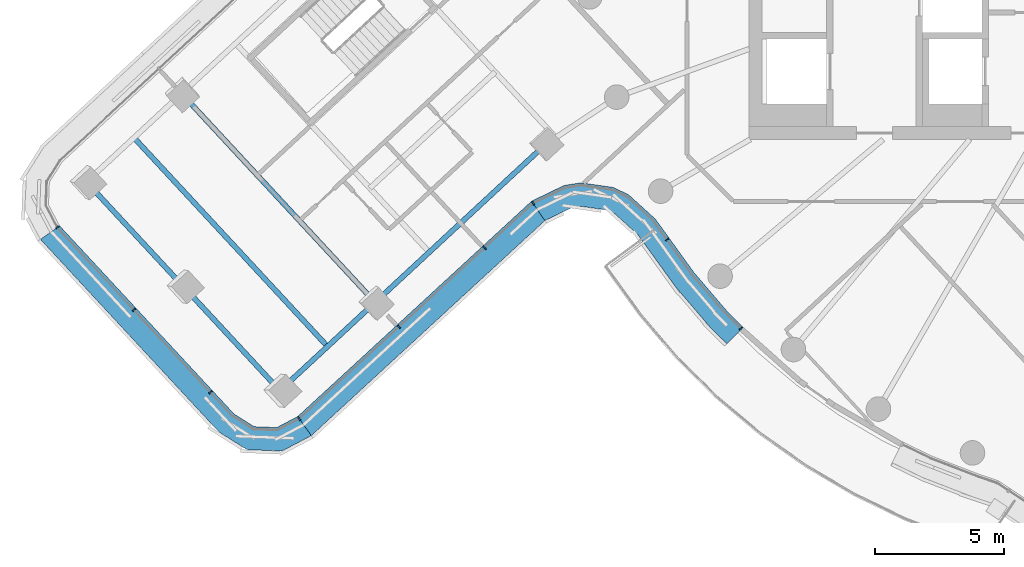
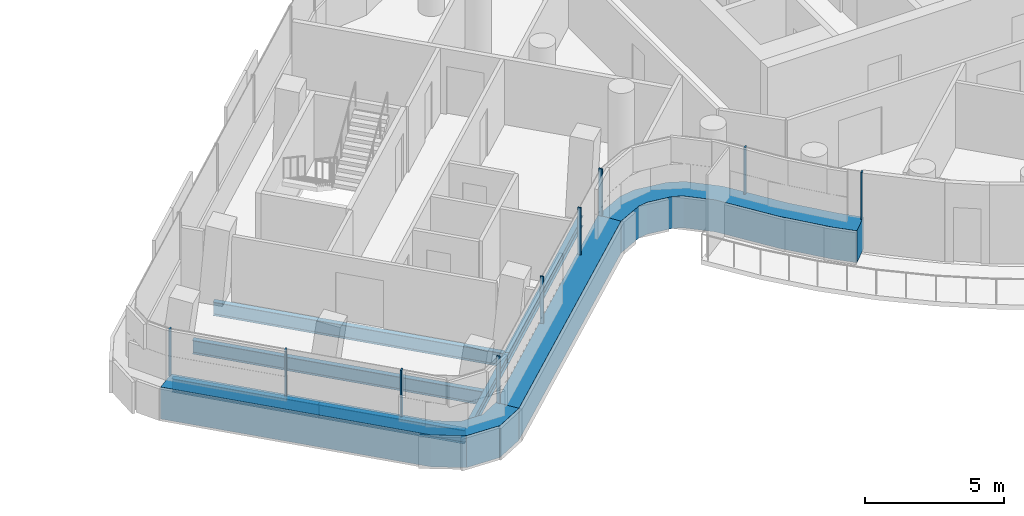
# One storey, part 3 of 34: 12 members, 6 beams, 3 elements without a shape of their own.
"""IFC4 building model written with IfcOpenShell, lengths in metres."""

from ifc_helpers import new_model, si_unit, direction, frame, origin, origin_2d, place, context, subcontext, project, spatial, polyline, rectangle, i_section, outline, extrude, material, layer, layer_set, material_profile, profile_set, type_object, element, aggregate, save


model = new_model("IFC4")

# Units and contexts
model_context = context("Model", 3, precision=1e-05, world=origin(), true_north=direction((0.0, 1.0)))
body_context = subcontext(model_context, "Body", "Model", "MODEL_VIEW")
ifc_project = project(units=[si_unit("LENGTHUNIT", "METRE"), si_unit("AREAUNIT", "SQUARE_METRE"), si_unit("VOLUMEUNIT", "CUBIC_METRE"), si_unit("PLANEANGLEUNIT", "RADIAN"), si_unit("MASSUNIT", "GRAM", prefix="KILO")], contexts=[model_context])

# Site, building, storey
site_placement = place(None, origin())
site = spatial("IfcSite", under=ifc_project, at=site_placement, CompositionType="ELEMENT")
building_placement = place(site_placement, origin())
building = spatial("IfcBuilding", under=site, at=building_placement, Name="Tamarind Cross Interchange Tower", CompositionType="ELEMENT")
storey_placement = place(building_placement, frame((0.0, 0.0, 189.699951171875)))
storey = spatial("IfcBuildingStorey", under=building, at=storey_placement, Name="L47", CompositionType="ELEMENT", Elevation=189.699951171875)

# Beams
ifc_material_1 = material(Name="Steel Q355B", Category="steel")
ifc_material_profile_1 = material_profile(ifc_material_1, i_section(OverallWidth=0.198974609375, OverallDepth=0.446044921875, WebThickness=0.008056640625, FlangeThickness=0.011962890625, FilletRadius=0.012939453125, at=origin_2d()), Name="HN 446x199x8x12")
ifc_profile_set_1 = profile_set([ifc_material_profile_1], Name="Steel Q355B")
beam_type_1 = type_object("IfcBeamType", Name="Composite beam HN 446x199x8x12 Q355B", PredefinedType="BEAM", material=ifc_profile_set_1)
beam_1_placement = place(storey_placement, frame((-34.62646484375, -19.207763671875, -0.363037109375), z_axis=(0.733287119824, 0.679919112762, 0.0), x_axis=(-0.679919112762, 0.733287119824, 0.0)))
element("IfcBeam", 1, at=beam_1_placement, inside=storey, type_object=beam_type_1, Name="Beam W-edgeep2", PredefinedType="BEAM", context=body_context, shape_type="SweptSolid", body=[
    extrude(i_section(OverallWidth=0.198974609375, OverallDepth=0.446044921875, WebThickness=0.008056640625, FlangeThickness=0.011962890625, FilletRadius=0.012939453125, at=origin_2d()), origin(), (0.0, 0.0, 1.0), 5.018310546875),
])
beam_2_placement = place(storey_placement, frame((-30.946533203125, -15.795654296875, -0.363037109375), z_axis=(0.73328217314, 0.679924447682, 0.0), x_axis=(-0.679924447682, 0.73328217314, 0.0)))
element("IfcBeam", 2, at=beam_2_placement, inside=storey, type_object=beam_type_1, Name="Beam W-edgeep3", PredefinedType="BEAM", context=body_context, shape_type="SweptSolid", body=[
    extrude(i_section(OverallWidth=0.198974609375, OverallDepth=0.446044921875, WebThickness=0.008056640625, FlangeThickness=0.011962890625, FilletRadius=0.012939453125, at=origin_2d()), origin(), (0.0, 0.0, 1.0), 9.0),
])
ifc_material_profile_2 = material_profile(ifc_material_1, i_section(OverallWidth=0.198974609375, OverallDepth=0.595947265625, WebThickness=0.010009765625, FlangeThickness=0.014892578125, FilletRadius=0.012939453125, at=origin_2d()), Name="HN 596x199x10x15")
ifc_profile_set_2 = profile_set([ifc_material_profile_2], Name="Steel Q355B")
beam_type_2 = type_object("IfcBeamType", Name="Composite beam HN 596x199x10x15 Q355B", PredefinedType="BEAM", material=ifc_profile_set_2)
beam_3_placement = place(storey_placement, frame((-42.10546875, -11.1416015625, -0.43798828125), z_axis=(0.679924808821, -0.733281838279, 0.0), x_axis=(0.733281838279, 0.679924808821, 0.0)))
element("IfcBeam", 3, at=beam_3_placement, inside=storey, type_object=beam_type_2, Name="Beam W-tip0", PredefinedType="BEAM", context=body_context, shape_type="SweptSolid", body=[
    extrude(i_section(OverallWidth=0.198974609375, OverallDepth=0.595947265625, WebThickness=0.010009765625, FlangeThickness=0.014892578125, FilletRadius=0.012939453125, at=origin_2d()), origin(), (0.0, 0.0, 1.0), 5.499755859375),
])
beam_4_placement = place(storey_placement, frame((-38.365966796875, -15.174560546875, -0.43798828125), z_axis=(0.679902677317, -0.73330235877, 0.0), x_axis=(0.73330235877, 0.679902677317, 0.0)))
element("IfcBeam", 4, at=beam_4_placement, inside=storey, type_object=beam_type_2, Name="Beam W-tip1", PredefinedType="BEAM", context=body_context, shape_type="SweptSolid", body=[
    extrude(i_section(OverallWidth=0.198974609375, OverallDepth=0.595947265625, WebThickness=0.010009765625, FlangeThickness=0.014892578125, FilletRadius=0.012939453125, at=origin_2d()), origin(), (0.0, 0.0, 1.0), 5.5),
])
for number, where, z_axis, x_axis, name in (
    (5, (-38.425537109375, -7.7294921875, -0.43798828125), (0.679913742966, -0.733292098775, 0.0), (0.733292098775, 0.679913742966, 0.0), "Beam W-x393"),
    (6, (-40.265380859375, -9.435546875, -0.43798828125), (0.679913742966, -0.733292098775, 0.0), (0.733292098775, 0.679913742966, 0.0), "Beam W-x418"),
):
    element("IfcBeam", number, at=place(storey_placement, frame(where, z_axis=z_axis, x_axis=x_axis)), inside=storey, type_object=beam_type_2, Name=name, PredefinedType="BEAM", context=body_context, shape_type="SweptSolid", body=[
        extrude(i_section(OverallWidth=0.198974609375, OverallDepth=0.595947265625, WebThickness=0.010009765625, FlangeThickness=0.014892578125, FilletRadius=0.012939453125, at=origin_2d()), origin(), (0.0, 0.0, 1.0), 11.0),
    ])

# Curtain wall, member
ifc_material_2 = material(Name="Aluminium 6063-T6", Category="aluminium")
ifc_layer = layer(ifc_material_2, 0.139892578125)
ifc_layer_set = layer_set([ifc_layer], Name="Aluminium 6063-T6")
curtain_wall_type = type_object("IfcCurtainWallType", Name="Hotel curtain wall, 4.5 m bays", PredefinedType="NOTDEFINED", material=ifc_layer_set)
curtain_wall_1_placement = place(storey_placement, origin())
curtain_wall_1 = element("IfcCurtainWall", 7, at=curtain_wall_1_placement, inside=storey, type_object=curtain_wall_type, Name="CWS-L47-08", PredefinedType="NOTDEFINED")
ifc_material_3 = material(Name="Aluminium and insulated spandrel panel", Category="aluminium")
member_type_1 = type_object("IfcMemberType", Name="Floor-edge blade transom", PredefinedType="USERDEFINED", material=ifc_material_3)
member_1_placement = place(storey_placement, origin())
member_1 = element("IfcMember", 8, at=member_1_placement, type_object=member_type_1, Name="CWT-L47-08", ObjectType="TRANSOM", PredefinedType="USERDEFINED", context=body_context, shape_type="SweptSolid", body=[
    extrude(outline(polyline([(-43.14111328125, -12.83740234375), (-36.395751953125, -20.112548828125), (-35.620849609375, -20.599853515625), (-34.746826171875, -20.6328125), (-33.93701171875, -20.205078125), (-33.413330078125, -20.9462890625), (-34.539794921875, -21.541259765625), (-35.895751953125, -21.489990234375), (-36.97509765625, -20.811279296875), (-43.881591796875, -13.362548828125), (-43.14111328125, -12.83740234375)])), origin(), (0.0, 0.0, 1.0), 1.400146484375),
])

curtain_wall_2_placement = place(storey_placement, origin())
curtain_wall_2 = element("IfcCurtainWall", 9, at=curtain_wall_2_placement, inside=storey, type_object=curtain_wall_type, Name="CWS-L47-09", PredefinedType="NOTDEFINED")
member_2_placement = place(storey_placement, origin())
member_2 = element("IfcMember", 10, at=member_2_placement, type_object=member_type_1, Name="CWT-L47-09", ObjectType="TRANSOM", PredefinedType="USERDEFINED", context=body_context, shape_type="SweptSolid", body=[
    extrude(outline(polyline([(-33.93701171875, -20.205078125), (-24.901123046875, -11.88623046875), (-24.38916015625, -12.638427734375), (-33.413330078125, -20.9462890625), (-33.93701171875, -20.205078125)])), origin(), (0.0, 0.0, 1.0), 1.400146484375),
])

curtain_wall_3_placement = place(storey_placement, origin())
curtain_wall_3 = element("IfcCurtainWall", 11, at=curtain_wall_3_placement, inside=storey, type_object=curtain_wall_type, Name="CWS-L47-10", PredefinedType="NOTDEFINED")
member_3_placement = place(storey_placement, origin())
member_3 = element("IfcMember", 12, at=member_3_placement, type_object=member_type_1, Name="CWT-L47-10-0", ObjectType="TRANSOM", PredefinedType="USERDEFINED", context=body_context, shape_type="SweptSolid", body=[
    extrude(outline(polyline([(-24.901123046875, -11.88623046875), (-23.64404296875, -11.27783203125), (-22.990234375, -11.17626953125), (-21.75634765625, -11.35400390625), (-21.15771484375, -11.635498046875), (-20.133544921875, -12.564208984375), (-19.789306640625, -13.03466796875), (-18.636474609375, -14.634521484375), (-17.3642578125, -16.12353515625), (-16.723388671875, -16.7587890625), (-17.359130859375, -17.39599609375), (-18.0244140625, -16.736572265625), (-19.344970703125, -15.19091796875), (-20.517333984375, -13.5634765625), (-20.8056640625, -13.169677734375), (-21.66259765625, -12.392578125), (-22.017578125, -12.2255859375), (-22.9853515625, -12.08642578125), (-23.373046875, -12.146484375), (-24.38916015625, -12.638427734375), (-24.901123046875, -11.88623046875)])), origin(), (0.0, 0.0, 1.0), 1.400146484375),
])

# Member
ifc_material_profile_3 = material_profile(ifc_material_2, rectangle(XDim=0.06005859375, YDim=0.139892578125, at=origin_2d()), Name="Mullion CW2")
ifc_profile_set_3 = profile_set([ifc_material_profile_3], Name="Aluminium 6063-T6")
member_type_2 = type_object("IfcMemberType", Name="Mullion CW2", PredefinedType="MULLION", material=ifc_profile_set_3)
member_4_placement = place(storey_placement, frame((-43.223388671875, -12.895751953125, 1.400146484375), z_axis=(0.0, 0.0, 1.0), x_axis=(0.578381694959, -0.815766274699, 0.0)))
member_4 = element("IfcMember", 13, at=member_4_placement, type_object=member_type_2, Name="CWM-L47-08-00", PredefinedType="MULLION", context=body_context, shape_type="SweptSolid", body=[
    extrude(rectangle(XDim=0.06005859375, YDim=0.139892578125, at=origin_2d()), origin(), (0.0, 0.0, 1.0), 2.059814453125),
])

member_5_placement = place(storey_placement, frame((-40.268798828125, -16.082275390625, 1.400146484375), z_axis=(0.0, 0.0, 1.0), x_axis=(0.679912424958, -0.73329332084, 0.0)))
member_5 = element("IfcMember", 14, at=member_5_placement, type_object=member_type_2, Name="CWM-L47-08-01", PredefinedType="MULLION", context=body_context, shape_type="SweptSolid", body=[
    extrude(rectangle(XDim=0.06005859375, YDim=0.139892578125, at=origin_2d()), origin(), (0.0, 0.0, 1.0), 2.059814453125),
])

member_6_placement = place(storey_placement, frame((-37.314208984375, -19.26904296875, 1.400146484375), z_axis=(0.0, 0.0, 1.0), x_axis=(0.679912424958, -0.73329332084, 0.0)))
member_6 = element("IfcMember", 15, at=member_6_placement, type_object=member_type_2, Name="CWM-L47-08-02", PredefinedType="MULLION", context=body_context, shape_type="SweptSolid", body=[
    extrude(rectangle(XDim=0.06005859375, YDim=0.139892578125, at=origin_2d()), origin(), (0.0, 0.0, 1.0), 2.059814453125),
])

aggregate(curtain_wall_1, [member_4, member_5, member_6, member_1])

member_7_placement = place(storey_placement, frame((-33.878662109375, -20.287353515625, 1.400146484375), z_axis=(0.0, 0.0, 1.0), x_axis=(0.816789534354, 0.576935747349, 0.0)))
member_7 = element("IfcMember", 16, at=member_7_placement, type_object=member_type_2, Name="CWM-L47-09-00", PredefinedType="MULLION", context=body_context, shape_type="SweptSolid", body=[
    extrude(rectangle(XDim=0.06005859375, YDim=0.139892578125, at=origin_2d()), origin(), (0.0, 0.0, 1.0), 2.059814453125),
])

member_8_placement = place(storey_placement, frame((-30.029296875, -16.743408203125, 1.400146484375), z_axis=(0.0, 0.0, 1.0), x_axis=(0.735697495243, 0.677310265309, 0.0)))
member_8 = element("IfcMember", 17, at=member_8_placement, type_object=member_type_2, Name="CWM-L47-09-01", PredefinedType="MULLION", context=body_context, shape_type="SweptSolid", body=[
    extrude(rectangle(XDim=0.06005859375, YDim=0.139892578125, at=origin_2d()), origin(), (0.0, 0.0, 1.0), 2.059814453125),
])

member_9_placement = place(storey_placement, frame((-26.7177734375, -13.694580078125, 1.400146484375), z_axis=(0.0, 0.0, 1.0), x_axis=(0.735697495243, 0.677310265309, 0.0)))
member_9 = element("IfcMember", 18, at=member_9_placement, type_object=member_type_2, Name="CWM-L47-09-02", PredefinedType="MULLION", context=body_context, shape_type="SweptSolid", body=[
    extrude(rectangle(XDim=0.06005859375, YDim=0.139892578125, at=origin_2d()), origin(), (0.0, 0.0, 1.0), 2.059814453125),
])

aggregate(curtain_wall_2, [member_7, member_8, member_9, member_2])

member_10_placement = place(storey_placement, frame((-24.84423828125, -11.9697265625, 1.400146484375), z_axis=(0.0, 0.0, 1.0), x_axis=(0.826772773696, 0.562536026113, 0.0)))
member_10 = element("IfcMember", 19, at=member_10_placement, type_object=member_type_2, Name="CWM-L47-10-00", PredefinedType="MULLION", context=body_context, shape_type="SweptSolid", body=[
    extrude(rectangle(XDim=0.06005859375, YDim=0.139892578125, at=origin_2d()), origin(), (0.0, 0.0, 1.0), 2.059814453125),
])

member_11_placement = place(storey_placement, frame((-19.6689453125, -13.372802734375, 1.400146484375), z_axis=(0.0, 0.0, 1.0), x_axis=(0.584573890505, -0.811340475102, 0.0)))
member_11 = element("IfcMember", 20, at=member_11_placement, type_object=member_type_2, Name="CWM-L47-10-01", PredefinedType="MULLION", context=body_context, shape_type="SweptSolid", body=[
    extrude(rectangle(XDim=0.06005859375, YDim=0.139892578125, at=origin_2d()), origin(), (0.0, 0.0, 1.0), 2.059814453125),
])

member_12_placement = place(storey_placement, frame((-16.815185546875, -16.80859375, 1.400146484375), z_axis=(0.0, 0.0, 1.0), x_axis=(0.710143317658, -0.704057148523, 0.0)))
member_12 = element("IfcMember", 21, at=member_12_placement, type_object=member_type_2, Name="CWM-L47-10-02", PredefinedType="MULLION", context=body_context, shape_type="SweptSolid", body=[
    extrude(rectangle(XDim=0.06005859375, YDim=0.139892578125, at=origin_2d()), origin(), (0.0, 0.0, 1.0), 2.059814453125),
])

aggregate(curtain_wall_3, [member_10, member_11, member_12, member_3])

save(model, "model.ifc")
